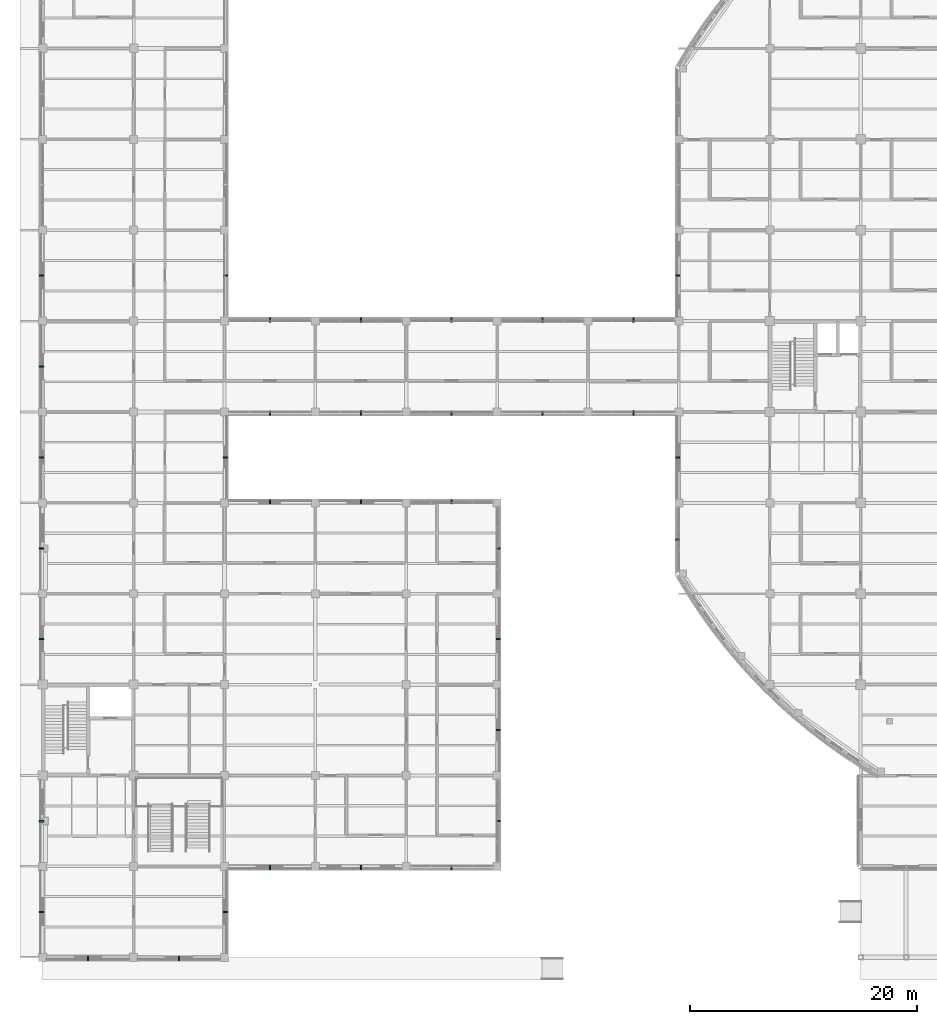
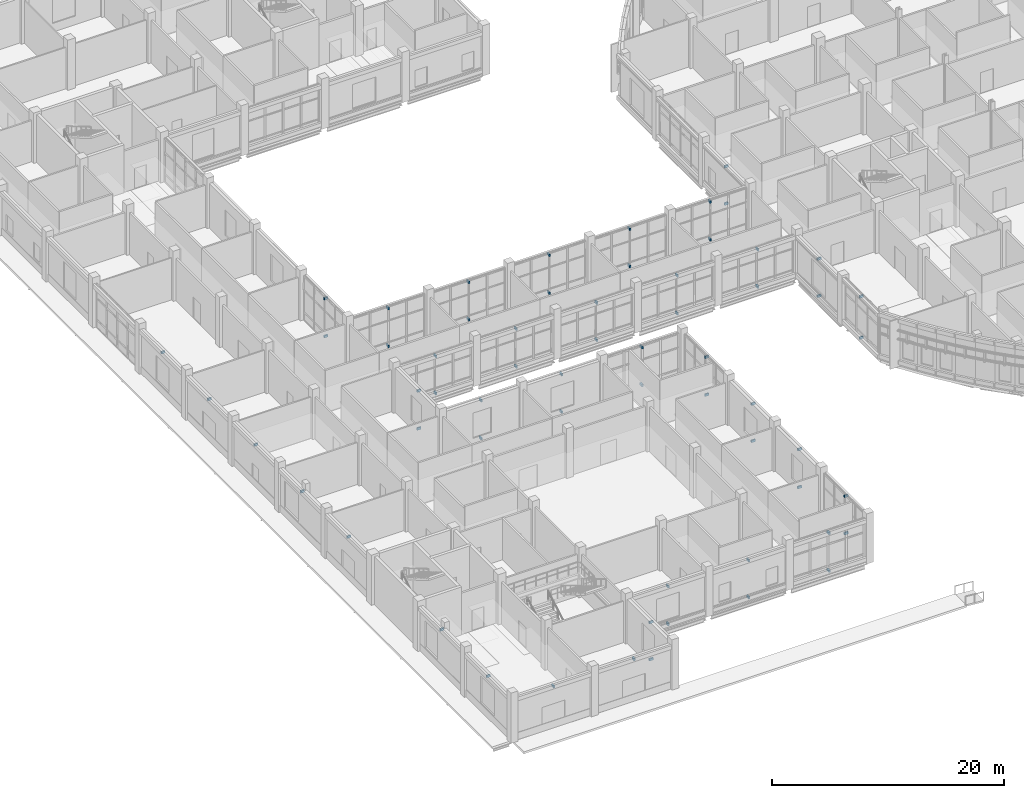
# One storey, part 86 of 105: 61 discrete accessories.
"""IFC4 building model written with IfcOpenShell, lengths in metres."""

from ifc_helpers import new_model, si_unit, derived_unit, direction, frame, origin, origin_2d, place, context, subcontext, project, spatial, rectangle, extrude, material, type_object, element, save


model = new_model("IFC4")

# Units and contexts
model_context = context("Model", 3, precision=1e-05, world=origin(), true_north=direction((0.0, 1.0)))
body_context = subcontext(model_context, "Body", "Model", "MODEL_VIEW")
ifc_project = project(units=[si_unit("LENGTHUNIT", "METRE"), si_unit("AREAUNIT", "SQUARE_METRE"), si_unit("VOLUMEUNIT", "CUBIC_METRE"), si_unit("PLANEANGLEUNIT", "RADIAN"), si_unit("MASSUNIT", "GRAM", prefix="KILO"), derived_unit("THERMALTRANSMITTANCEUNIT", [(si_unit("MASSUNIT", "GRAM", prefix="KILO"), 1), (si_unit("TIMEUNIT", "SECOND"), -3), (si_unit("THERMODYNAMICTEMPERATUREUNIT", "KELVIN"), -1)])], contexts=[model_context])

# Site, building, storey
site_placement = place(None, origin())
site = spatial("IfcSite", under=ifc_project, at=site_placement, CompositionType="ELEMENT")
building_placement = place(site_placement, origin())
building = spatial("IfcBuilding", under=site, at=building_placement, Name="Veyamyaing Civic Hall", CompositionType="ELEMENT")
storey_placement = place(building_placement, origin())
storey = spatial("IfcBuildingStorey", under=building, at=storey_placement, Name="L00", CompositionType="ELEMENT", Elevation=0.0)

# Discrete accessories
ifc_material = material(Name="Steel S355J2", Category="steel")
discrete_accessory_type = type_object("IfcDiscreteAccessoryType", Name="BK-01", PredefinedType="BRACKET", material=ifc_material)
for number, where, z_axis, x_axis, name in (
    (1, (4.0, -0.10009765625, 4.27001953125), (0.0, 0.0, 1.0), (0.0, -1.0, 0.0), "Sunshade anchor bracket BK-01 L00 S 1.1"),
    (2, (-0.10009765625, 4.0, 4.27001953125), (0.0, 0.0, 1.0), (-1.0, 0.0, 0.0), "Sunshade anchor bracket BK-01 L00 W 1.1"),
    (3, (-0.10009765625, 11.97509765625, 4.333984375), (0.0, 0.0, 1.0), (-1.0, 0.0, 0.0), "Sunshade anchor bracket BK-01 L00 W 1.2"),
    (4, (-0.10009765625, 28.02490234375, 4.3369140625), (0.0, 0.0, 1.0), (-1.0, 0.0, 0.0), "Sunshade anchor bracket BK-01 L00 W 1.4"),
    (5, (-0.10009765625, 36.0, 4.27001953125), (0.0, 0.0, 1.0), (-1.0, 0.0, 0.0), "Sunshade anchor bracket BK-01 L00 W 1.5"),
    (6, (-0.10009765625, 44.0, 4.333984375), (0.0, 0.0, 1.0), (-1.0, 0.0, 0.0), "Sunshade anchor bracket BK-01 L00 W 1.6"),
    (7, (-0.10009765625, 52.0, 4.27392578125), (0.0, 0.0, 1.0), (-1.0, 0.0, 0.0), "Sunshade anchor bracket BK-01 L00 W 1.7"),
    (8, (-0.10009765625, 60.0, 4.3369140625), (0.0, 0.0, 1.0), (-1.0, 0.0, 0.0), "Sunshade anchor bracket BK-01 L00 W 1.8"),
    (9, (12.0, -0.10009765625, 4.333984375), (0.0, 0.0, 1.0), (0.0, -1.0, 0.0), "Sunshade anchor bracket BK-01 L00 S 2.1"),
    (10, (16.10009765625, 4.0, 4.27392578125), (0.0, 0.0, 1.0), (1.0, 0.0, 0.0), "Sunshade anchor bracket BK-01 L00 E 2.1"),
    (11, (16.10009765625, 4.0, 0.35986328125), (0.0, 0.0, 1.0), (1.0, 0.0, 0.0), "Lower ribbon anchor bracket BK-01 L00 E 2.1"),
    (12, (16.10009765625, 44.0, 4.3369140625), (0.0, 0.0, 1.0), (1.0, 0.0, 0.0), "Sunshade anchor bracket BK-01 L00 E 2.6"),
    (13, (16.10009765625, 44.0, 0.35986328125), (0.0, 0.0, 1.0), (1.0, 0.0, 0.0), "Lower ribbon anchor bracket BK-01 L00 E 2.6"),
    (14, (16.10009765625, 60.0, 4.3388671875), (0.0, 0.0, 1.0), (1.0, 0.0, 0.0), "Sunshade anchor bracket BK-01 L00 E 2.8"),
    (15, (16.10009765625, 60.0, 0.35986328125), (0.0, 0.0, 1.0), (1.0, 0.0, 0.0), "Lower ribbon anchor bracket BK-01 L00 E 2.8"),
    (16, (20.0, 7.89990234375, 4.3369140625), (0.0, 0.0, 1.0), (0.0, -1.0, 0.0), "Sunshade anchor bracket BK-01 L00 S 3.2"),
    (17, (20.0, 7.89990234375, 0.35986328125), (0.0, 0.0, 1.0), (0.0, -1.0, 0.0), "Lower ribbon anchor bracket BK-01 L00 S 3.2"),
    (18, (20.0, 40.10009765625, 4.3369140625), (0.0, 0.0, 1.0), (0.0, 1.0, 0.0), "Sunshade anchor bracket BK-01 L00 N 3.5"),
    (19, (20.0, 40.10009765625, 0.35986328125), (0.0, 0.0, 1.0), (0.0, 1.0, 0.0), "Lower ribbon anchor bracket BK-01 L00 N 3.5"),
    (20, (20.0, 47.89990234375, 4.27001953125), (0.0, 0.0, 1.0), (0.0, -1.0, 0.0), "Sunshade anchor bracket BK-01 L00 S 3.7"),
    (21, (20.0, 47.89990234375, 0.35986328125), (0.0, 0.0, 1.0), (0.0, -1.0, 0.0), "Lower ribbon anchor bracket BK-01 L00 S 3.7"),
    (22, (20.0, 56.10009765625, 4.333984375), (0.0, 0.0, 1.0), (0.0, 1.0, 0.0), "Sunshade anchor bracket BK-01 L00 N 3.7"),
    (23, (20.0, 56.10009765625, 0.35986328125), (0.0, 0.0, 1.0), (0.0, 1.0, 0.0), "Lower ribbon anchor bracket BK-01 L00 N 3.7"),
    (24, (28.0, 7.89990234375, 4.27001953125), (0.0, 0.0, 1.0), (0.0, -1.0, 0.0), "Sunshade anchor bracket BK-01 L00 S 4.2"),
    (25, (28.0, 7.89990234375, 0.35986328125), (0.0, 0.0, 1.0), (0.0, -1.0, 0.0), "Lower ribbon anchor bracket BK-01 L00 S 4.2"),
    (26, (28.0, 40.10009765625, 4.27001953125), (0.0, 0.0, 1.0), (0.0, 1.0, 0.0), "Sunshade anchor bracket BK-01 L00 N 4.5"),
    (27, (28.0, 40.10009765625, 0.35986328125), (0.0, 0.0, 1.0), (0.0, 1.0, 0.0), "Lower ribbon anchor bracket BK-01 L00 N 4.5"),
    (28, (28.0, 47.89990234375, 4.333984375), (0.0, 0.0, 1.0), (0.0, -1.0, 0.0), "Sunshade anchor bracket BK-01 L00 S 4.7"),
    (29, (28.0, 47.89990234375, 0.35986328125), (0.0, 0.0, 1.0), (0.0, -1.0, 0.0), "Lower ribbon anchor bracket BK-01 L00 S 4.7"),
    (30, (28.0, 56.10009765625, 4.27392578125), (0.0, 0.0, 1.0), (0.0, 1.0, 0.0), "Sunshade anchor bracket BK-01 L00 N 4.7"),
    (31, (28.0, 56.10009765625, 0.35986328125), (0.0, 0.0, 1.0), (0.0, 1.0, 0.0), "Lower ribbon anchor bracket BK-01 L00 N 4.7"),
    (32, (36.0, 7.89990234375, 4.333984375), (0.0, 0.0, 1.0), (0.0, -1.0, 0.0), "Sunshade anchor bracket BK-01 L00 S 5.2"),
    (33, (36.0, 7.89990234375, 0.35986328125), (0.0, 0.0, 1.0), (0.0, -1.0, 0.0), "Lower ribbon anchor bracket BK-01 L00 S 5.2"),
    (34, (40.10009765625, 12.0, 4.27392578125), (0.0, 0.0, 1.0), (1.0, 0.0, 0.0), "Sunshade anchor bracket BK-01 L00 E 5.2"),
    (35, (40.10009765625, 12.0, 0.35986328125), (0.0, 0.0, 1.0), (1.0, 0.0, 0.0), "Lower ribbon anchor bracket BK-01 L00 E 5.2"),
    (36, (40.10009765625, 20.0, 4.3369140625), (0.0, 0.0, 1.0), (1.0, 0.0, 0.0), "Sunshade anchor bracket BK-01 L00 E 5.3"),
    (37, (40.10009765625, 20.0, 0.35986328125), (0.0, 0.0, 1.0), (1.0, 0.0, 0.0), "Lower ribbon anchor bracket BK-01 L00 E 5.3"),
    (38, (40.10009765625, 28.0, 4.27001953125), (0.0, 0.0, 1.0), (1.0, 0.0, 0.0), "Sunshade anchor bracket BK-01 L00 E 5.4"),
    (39, (40.10009765625, 28.0, 0.35986328125), (0.0, 0.0, 1.0), (1.0, 0.0, 0.0), "Lower ribbon anchor bracket BK-01 L00 E 5.4"),
    (40, (36.0, 40.10009765625, 4.333984375), (0.0, 0.0, 1.0), (0.0, 1.0, 0.0), "Sunshade anchor bracket BK-01 L00 N 5.5"),
    (41, (36.0, 40.10009765625, 0.35986328125), (0.0, 0.0, 1.0), (0.0, 1.0, 0.0), "Lower ribbon anchor bracket BK-01 L00 N 5.5"),
    (42, (40.10009765625, 36.0, 4.333984375), (0.0, 0.0, 1.0), (1.0, 0.0, 0.0), "Sunshade anchor bracket BK-01 L00 E 5.5"),
    (43, (40.10009765625, 36.0, 0.35986328125), (0.0, 0.0, 1.0), (1.0, 0.0, 0.0), "Lower ribbon anchor bracket BK-01 L00 E 5.5"),
    (44, (36.0, 47.89990234375, 4.27392578125), (0.0, 0.0, 1.0), (0.0, -1.0, 0.0), "Sunshade anchor bracket BK-01 L00 S 5.7"),
    (45, (36.0, 47.89990234375, 0.35986328125), (0.0, 0.0, 1.0), (0.0, -1.0, 0.0), "Lower ribbon anchor bracket BK-01 L00 S 5.7"),
    (46, (36.0, 56.10009765625, 4.3369140625), (0.0, 0.0, 1.0), (0.0, 1.0, 0.0), "Sunshade anchor bracket BK-01 L00 N 5.7"),
    (47, (36.0, 56.10009765625, 0.35986328125), (0.0, 0.0, 1.0), (0.0, 1.0, 0.0), "Lower ribbon anchor bracket BK-01 L00 N 5.7"),
    (48, (44.0, 47.89990234375, 4.3369140625), (0.0, 0.0, 1.0), (0.0, -1.0, 0.0), "Sunshade anchor bracket BK-01 L00 S 6.7"),
    (49, (44.0, 47.89990234375, 0.35986328125), (0.0, 0.0, 1.0), (0.0, -1.0, 0.0), "Lower ribbon anchor bracket BK-01 L00 S 6.7"),
    (50, (44.0, 56.10009765625, 4.27001953125), (0.0, 0.0, 1.0), (0.0, 1.0, 0.0), "Sunshade anchor bracket BK-01 L00 N 6.7"),
    (51, (44.0, 56.10009765625, 0.35986328125), (0.0, 0.0, 1.0), (0.0, 1.0, 0.0), "Lower ribbon anchor bracket BK-01 L00 N 6.7"),
    (52, (52.0, 47.89990234375, 4.27001953125), (0.0, 0.0, 1.0), (0.0, -1.0, 0.0), "Sunshade anchor bracket BK-01 L00 S 7.7"),
    (53, (52.0, 47.89990234375, 0.35986328125), (0.0, 0.0, 1.0), (0.0, -1.0, 0.0), "Lower ribbon anchor bracket BK-01 L00 S 7.7"),
    (54, (52.0, 56.10009765625, 4.333984375), (0.0, 0.0, 1.0), (0.0, 1.0, 0.0), "Sunshade anchor bracket BK-01 L00 N 7.7"),
    (55, (52.0, 56.10009765625, 0.35986328125), (0.0, 0.0, 1.0), (0.0, 1.0, 0.0), "Lower ribbon anchor bracket BK-01 L00 N 7.7"),
    (56, (55.89990234375, 36.759521484375, 4.69482421875), (0.0, 0.0, 1.0), (-1.0, 0.0, 0.0), "Sunshade anchor bracket BK-01 L00 W 8.5"),
    (57, (55.89990234375, 36.759521484375, 0.35986328125), (0.0, 0.0, 1.0), (-1.0, 0.0, 0.0), "Lower ribbon anchor bracket BK-01 L00 W 8.5"),
    (58, (55.89990234375, 44.0, 4.27001953125), (0.0, 0.0, 1.0), (-1.0, 0.0, 0.0), "Sunshade anchor bracket BK-01 L00 W 8.6"),
    (59, (55.89990234375, 44.0, 0.35986328125), (0.0, 0.0, 1.0), (-1.0, 0.0, 0.0), "Lower ribbon anchor bracket BK-01 L00 W 8.6"),
    (60, (55.89990234375, 60.0, 4.27392578125), (0.0, 0.0, 1.0), (-1.0, 0.0, 0.0), "Sunshade anchor bracket BK-01 L00 W 8.8"),
    (61, (55.89990234375, 60.0, 0.35986328125), (0.0, 0.0, 1.0), (-1.0, 0.0, 0.0), "Lower ribbon anchor bracket BK-01 L00 W 8.8"),
):
    element("IfcDiscreteAccessory", number, at=place(storey_placement, frame(where, z_axis=z_axis, x_axis=x_axis)), inside=storey, type_object=discrete_accessory_type, Name=name, PredefinedType="BRACKET", context=body_context, shape_type="SweptSolid", body=[
        extrude(rectangle(XDim=0.3798828125, YDim=0.139892578125, at=origin_2d()), origin(), (0.0, 0.0, 1.0), 0.239990234375),
    ])

save(model, "model.ifc")
